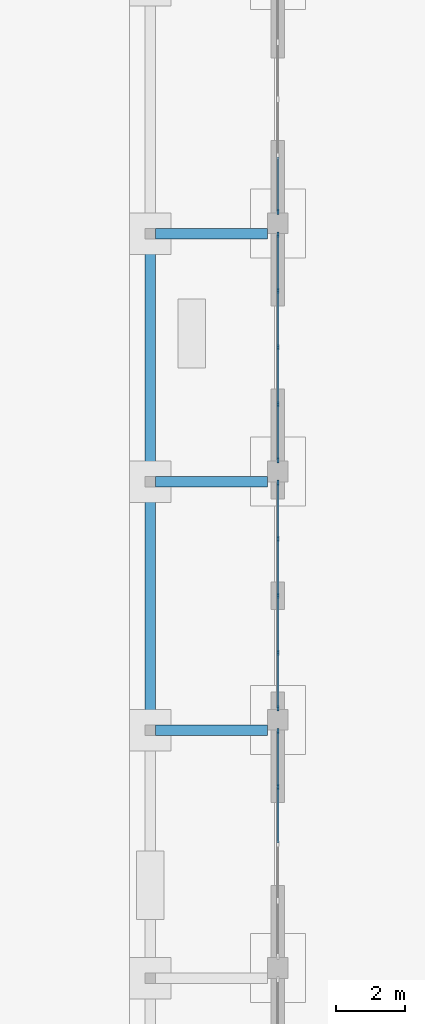
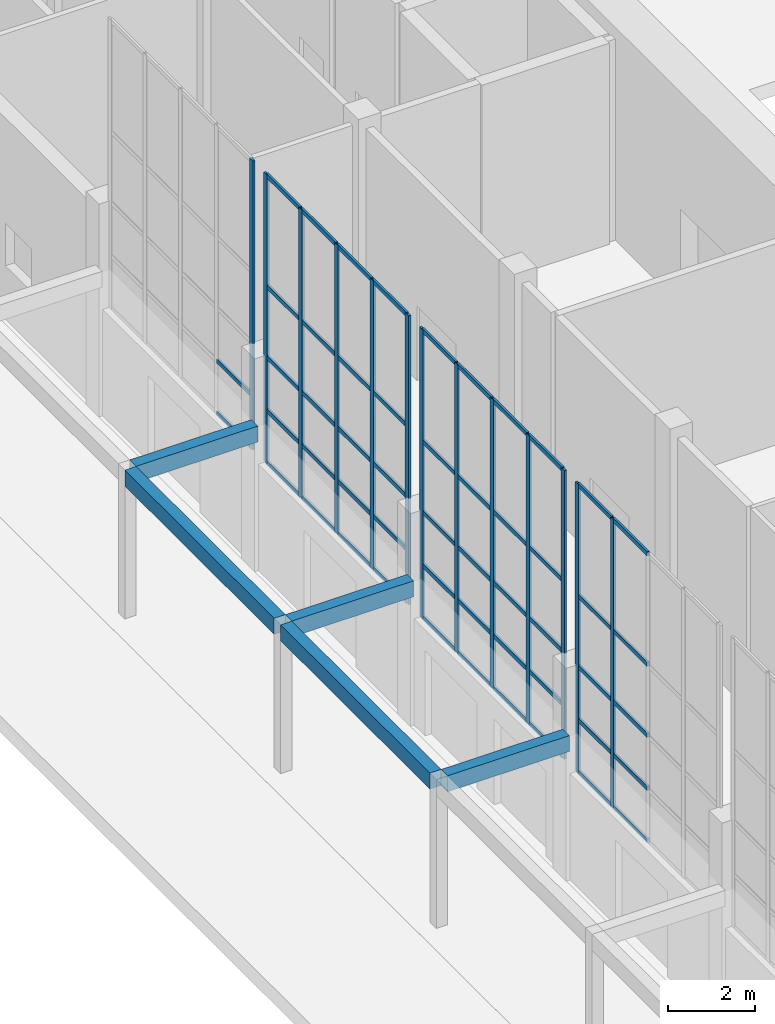
# One storey, part 10 of 70: 65 members, 5 beams, 4 elements without a shape of their own.
"""IFC4 building model written with IfcOpenShell, lengths in metres."""

from ifc_helpers import new_model, si_unit, direction, frame, origin, origin_2d, place, context, subcontext, project, spatial, rectangle, extrude, material, material_profile, profile_set, type_object, element, aggregate, save


model = new_model("IFC4")

# Units and contexts
model_context = context("Model", 3, precision=1e-05, world=origin(), true_north=direction((0.0, 1.0)))
body_context = subcontext(model_context, "Body", "Model", "MODEL_VIEW")
ifc_project = project(units=[si_unit("LENGTHUNIT", "METRE"), si_unit("AREAUNIT", "SQUARE_METRE"), si_unit("VOLUMEUNIT", "CUBIC_METRE"), si_unit("PLANEANGLEUNIT", "RADIAN"), si_unit("MASSUNIT", "GRAM", prefix="KILO")], contexts=[model_context])

# Site, building, storey
site_placement = place(None, origin())
site = spatial("IfcSite", under=ifc_project, at=site_placement, CompositionType="ELEMENT")
building_placement = place(site_placement, origin())
building = spatial("IfcBuilding", under=site, at=building_placement, Name="Vermilion Court Aquatics Centre", CompositionType="ELEMENT")
storey_placement = place(building_placement, origin())
storey = spatial("IfcBuildingStorey", under=building, at=storey_placement, Name="L00", CompositionType="ELEMENT", Elevation=0.0)

# Beams
ifc_material_1 = material(Name="Concrete 5000 psi", Category="concrete")
ifc_material_profile_1 = material_profile(ifc_material_1, rectangle(XDim=0.300048828125, YDim=0.449951171875, at=origin_2d()), Name="RC 300x450")
ifc_profile_set_1 = profile_set([ifc_material_profile_1], Name="Concrete 5000 psi")
beam_type = type_object("IfcBeamType", Name="Foyer canopy beam RC 300x450", PredefinedType="BEAM", material=ifc_profile_set_1)
for number, where, z_axis, x_axis, name in (
    (1, (-3.25, 28.5, 3.97509765625), (1.0, 0.0, 0.0), (0.0, 1.0, 0.0), "Foyer canopy beam"),
    (2, (-3.25, 35.699951171875, 3.97509765625), (1.0, 0.0, 0.0), (0.0, 1.0, 0.0), "Foyer canopy beam"),
    (3, (-3.25, 42.89990234375, 3.97509765625), (1.0, 0.0, 0.0), (0.0, 1.0, 0.0), "Foyer canopy beam"),
):
    element("IfcBeam", number, at=place(storey_placement, frame(where, z_axis=z_axis, x_axis=x_axis)), inside=storey, type_object=beam_type, Name=name, PredefinedType="BEAM", context=body_context, shape_type="SweptSolid", body=[
        extrude(rectangle(XDim=0.300048828125, YDim=0.449951171875, at=origin_2d()), origin(), (0.0, 0.0, 1.0), 3.25),
    ])
beam_1_placement = place(storey_placement, frame((-3.39990234375, 28.64990234375, 3.97509765625), z_axis=(0.0, 1.0, 0.0), x_axis=(-1.0, 0.0, 0.0)))
element("IfcBeam", 4, at=beam_1_placement, inside=storey, type_object=beam_type, Name="Foyer canopy edge beam", PredefinedType="BEAM", context=body_context, shape_type="SweptSolid", body=[
    extrude(rectangle(XDim=0.300048828125, YDim=0.449951171875, at=origin_2d()), origin(), (0.0, 0.0, 1.0), 6.900146484375),
])
beam_2_placement = place(storey_placement, frame((-3.39990234375, 35.85009765625, 3.97509765625), z_axis=(0.0, 1.0, 0.0), x_axis=(-1.0, 0.0, 0.0)))
element("IfcBeam", 5, at=beam_2_placement, inside=storey, type_object=beam_type, Name="Foyer canopy edge beam", PredefinedType="BEAM", context=body_context, shape_type="SweptSolid", body=[
    extrude(rectangle(XDim=0.300048828125, YDim=0.449951171875, at=origin_2d()), origin(), (0.0, 0.0, 1.0), 6.89990234375),
])

# Curtain wall, members
ifc_material_2 = material(Name="Aluminium 6063-T5", Category="aluminium")
curtain_wall_type = type_object("IfcCurtainWallType", Name="Foyer curtain wall", PredefinedType="NOTDEFINED", material=ifc_material_2)
curtain_wall_1_placement = place(storey_placement, origin())
curtain_wall_1 = element("IfcCurtainWall", 6, at=curtain_wall_1_placement, inside=storey, type_object=curtain_wall_type, Name="Foyer curtain wall 4", PredefinedType="NOTDEFINED")
ifc_material_3 = material(Name="Aluminium 6063-T5", Category="aluminium")
ifc_material_profile_2 = material_profile(ifc_material_3, rectangle(XDim=0.06005859375, YDim=0.159912109375, at=origin_2d()), Name="Aluminium 60x160")
ifc_profile_set_2 = profile_set([ifc_material_profile_2], Name="Aluminium 6063-T5")
member_type_1 = type_object("IfcMemberType", Name="Foyer mullion 60x160", PredefinedType="MULLION", material=ifc_profile_set_2)
member_1_placement = place(storey_placement, frame((0.300048828125, 26.85009765625, 3.0), z_axis=(0.0, 0.0, 1.0), x_axis=(-1.0, 0.0, 0.0)))
member_1 = element("IfcMember", 7, at=member_1_placement, type_object=member_type_1, Name="FCW1 mullion 4", PredefinedType="MULLION", context=body_context, shape_type="SweptSolid", body=[
    extrude(rectangle(XDim=0.06005859375, YDim=0.159912109375, at=origin_2d()), origin(), (0.0, 0.0, 1.0), 8.14990234375),
])
member_2_placement = place(storey_placement, frame((0.300048828125, 28.469970703125, 3.0), z_axis=(0.0, 0.0, 1.0), x_axis=(-1.0, 0.0, 0.0)))
member_2 = element("IfcMember", 8, at=member_2_placement, type_object=member_type_1, Name="FCW1 mullion 5", PredefinedType="MULLION", context=body_context, shape_type="SweptSolid", body=[
    extrude(rectangle(XDim=0.06005859375, YDim=0.159912109375, at=origin_2d()), origin(), (0.0, 0.0, 1.0), 8.14990234375),
])

curtain_wall_2_placement = place(storey_placement, origin())
curtain_wall_2 = element("IfcCurtainWall", 9, at=curtain_wall_2_placement, inside=storey, type_object=curtain_wall_type, Name="Foyer curtain wall 5", PredefinedType="NOTDEFINED")
member_3_placement = place(storey_placement, frame((0.300048828125, 29.1298828125, 3.0), z_axis=(0.0, 0.0, 1.0), x_axis=(-1.0, 0.0, 0.0)))
member_3 = element("IfcMember", 10, at=member_3_placement, type_object=member_type_1, Name="FCW1 mullion 1", PredefinedType="MULLION", context=body_context, shape_type="SweptSolid", body=[
    extrude(rectangle(XDim=0.06005859375, YDim=0.159912109375, at=origin_2d()), origin(), (0.0, 0.0, 1.0), 8.14990234375),
])
member_4_placement = place(storey_placement, frame((0.300048828125, 30.75, 3.0), z_axis=(0.0, 0.0, 1.0), x_axis=(-1.0, 0.0, 0.0)))
member_4 = element("IfcMember", 11, at=member_4_placement, type_object=member_type_1, Name="FCW1 mullion 2", PredefinedType="MULLION", context=body_context, shape_type="SweptSolid", body=[
    extrude(rectangle(XDim=0.06005859375, YDim=0.159912109375, at=origin_2d()), origin(), (0.0, 0.0, 1.0), 8.14990234375),
])
member_5_placement = place(storey_placement, frame((0.300048828125, 32.39990234375, 3.0), z_axis=(0.0, 0.0, 1.0), x_axis=(-1.0, 0.0, 0.0)))
member_5 = element("IfcMember", 12, at=member_5_placement, type_object=member_type_1, Name="FCW1 mullion 3", PredefinedType="MULLION", context=body_context, shape_type="SweptSolid", body=[
    extrude(rectangle(XDim=0.06005859375, YDim=0.159912109375, at=origin_2d()), origin(), (0.0, 0.0, 1.0), 8.14990234375),
])
member_6_placement = place(storey_placement, frame((0.300048828125, 34.050048828125, 3.0), z_axis=(0.0, 0.0, 1.0), x_axis=(-1.0, 0.0, 0.0)))
member_6 = element("IfcMember", 13, at=member_6_placement, type_object=member_type_1, Name="FCW1 mullion 4", PredefinedType="MULLION", context=body_context, shape_type="SweptSolid", body=[
    extrude(rectangle(XDim=0.06005859375, YDim=0.159912109375, at=origin_2d()), origin(), (0.0, 0.0, 1.0), 8.14990234375),
])
member_7_placement = place(storey_placement, frame((0.300048828125, 35.669921875, 3.0), z_axis=(0.0, 0.0, 1.0), x_axis=(-1.0, 0.0, 0.0)))
member_7 = element("IfcMember", 14, at=member_7_placement, type_object=member_type_1, Name="FCW1 mullion 5", PredefinedType="MULLION", context=body_context, shape_type="SweptSolid", body=[
    extrude(rectangle(XDim=0.06005859375, YDim=0.159912109375, at=origin_2d()), origin(), (0.0, 0.0, 1.0), 8.14990234375),
])

curtain_wall_3_placement = place(storey_placement, origin())
curtain_wall_3 = element("IfcCurtainWall", 15, at=curtain_wall_3_placement, inside=storey, type_object=curtain_wall_type, Name="Foyer curtain wall 6", PredefinedType="NOTDEFINED")
member_8_placement = place(storey_placement, frame((0.300048828125, 36.330078125, 3.0), z_axis=(0.0, 0.0, 1.0), x_axis=(-1.0, 0.0, 0.0)))
member_8 = element("IfcMember", 16, at=member_8_placement, type_object=member_type_1, Name="FCW1 mullion 1", PredefinedType="MULLION", context=body_context, shape_type="SweptSolid", body=[
    extrude(rectangle(XDim=0.06005859375, YDim=0.159912109375, at=origin_2d()), origin(), (0.0, 0.0, 1.0), 8.14990234375),
])
member_9_placement = place(storey_placement, frame((0.300048828125, 37.949951171875, 3.0), z_axis=(0.0, 0.0, 1.0), x_axis=(-1.0, 0.0, 0.0)))
member_9 = element("IfcMember", 17, at=member_9_placement, type_object=member_type_1, Name="FCW1 mullion 2", PredefinedType="MULLION", context=body_context, shape_type="SweptSolid", body=[
    extrude(rectangle(XDim=0.06005859375, YDim=0.159912109375, at=origin_2d()), origin(), (0.0, 0.0, 1.0), 8.14990234375),
])
member_10_placement = place(storey_placement, frame((0.300048828125, 39.60009765625, 3.0), z_axis=(0.0, 0.0, 1.0), x_axis=(-1.0, 0.0, 0.0)))
member_10 = element("IfcMember", 18, at=member_10_placement, type_object=member_type_1, Name="FCW1 mullion 3", PredefinedType="MULLION", context=body_context, shape_type="SweptSolid", body=[
    extrude(rectangle(XDim=0.06005859375, YDim=0.159912109375, at=origin_2d()), origin(), (0.0, 0.0, 1.0), 8.14990234375),
])
member_11_placement = place(storey_placement, frame((0.300048828125, 41.25, 3.0), z_axis=(0.0, 0.0, 1.0), x_axis=(-1.0, 0.0, 0.0)))
member_11 = element("IfcMember", 19, at=member_11_placement, type_object=member_type_1, Name="FCW1 mullion 4", PredefinedType="MULLION", context=body_context, shape_type="SweptSolid", body=[
    extrude(rectangle(XDim=0.06005859375, YDim=0.159912109375, at=origin_2d()), origin(), (0.0, 0.0, 1.0), 8.14990234375),
])
member_12_placement = place(storey_placement, frame((0.300048828125, 42.8701171875, 3.0), z_axis=(0.0, 0.0, 1.0), x_axis=(-1.0, 0.0, 0.0)))
member_12 = element("IfcMember", 20, at=member_12_placement, type_object=member_type_1, Name="FCW1 mullion 5", PredefinedType="MULLION", context=body_context, shape_type="SweptSolid", body=[
    extrude(rectangle(XDim=0.06005859375, YDim=0.159912109375, at=origin_2d()), origin(), (0.0, 0.0, 1.0), 8.14990234375),
])

# Curtain wall, member
curtain_wall_4_placement = place(storey_placement, origin())
curtain_wall_4 = element("IfcCurtainWall", 21, at=curtain_wall_4_placement, inside=storey, type_object=curtain_wall_type, Name="Foyer curtain wall 7", PredefinedType="NOTDEFINED")
member_13_placement = place(storey_placement, frame((0.300048828125, 43.530029296875, 3.0), z_axis=(0.0, 0.0, 1.0), x_axis=(-1.0, 0.0, 0.0)))
member_13 = element("IfcMember", 22, at=member_13_placement, type_object=member_type_1, Name="FCW1 mullion 1", PredefinedType="MULLION", context=body_context, shape_type="SweptSolid", body=[
    extrude(rectangle(XDim=0.06005859375, YDim=0.159912109375, at=origin_2d()), origin(), (0.0, 0.0, 1.0), 8.14990234375),
])

# Member
ifc_material_4 = material(Name="Aluminium 6063-T5", Category="aluminium")
ifc_material_profile_3 = material_profile(ifc_material_4, rectangle(XDim=0.06005859375, YDim=0.1201171875, at=origin_2d()), Name="Aluminium 60x120")
ifc_profile_set_3 = profile_set([ifc_material_profile_3], Name="Aluminium 6063-T5")
member_type_2 = type_object("IfcMemberType", Name="Foyer transom 60x120", PredefinedType="USERDEFINED", material=ifc_profile_set_3)
member_14_placement = place(storey_placement, frame((0.300048828125, 25.22998046875, 3.030029296875), z_axis=(0.0, 1.0, 0.0), x_axis=(-1.0, 0.0, 0.0)))
member_14 = element("IfcMember", 23, at=member_14_placement, type_object=member_type_2, Name="FCW1 transom 3.1", ObjectType="TRANSOM", PredefinedType="USERDEFINED", context=body_context, shape_type="SweptSolid", body=[
    extrude(rectangle(XDim=0.06005859375, YDim=0.1201171875, at=origin_2d()), origin(), (0.0, 0.0, 1.0), 1.590087890625),
])

member_15_placement = place(storey_placement, frame((0.300048828125, 25.22998046875, 4.5), z_axis=(0.0, 1.0, 0.0), x_axis=(-1.0, 0.0, 0.0)))
member_15 = element("IfcMember", 24, at=member_15_placement, type_object=member_type_2, Name="FCW1 transom 3.2", ObjectType="TRANSOM", PredefinedType="USERDEFINED", context=body_context, shape_type="SweptSolid", body=[
    extrude(rectangle(XDim=0.06005859375, YDim=0.1201171875, at=origin_2d()), origin(), (0.0, 0.0, 1.0), 1.590087890625),
])

member_16_placement = place(storey_placement, frame((0.300048828125, 25.22998046875, 6.0), z_axis=(0.0, 1.0, 0.0), x_axis=(-1.0, 0.0, 0.0)))
member_16 = element("IfcMember", 25, at=member_16_placement, type_object=member_type_2, Name="FCW1 transom 3.3", ObjectType="TRANSOM", PredefinedType="USERDEFINED", context=body_context, shape_type="SweptSolid", body=[
    extrude(rectangle(XDim=0.06005859375, YDim=0.1201171875, at=origin_2d()), origin(), (0.0, 0.0, 1.0), 1.590087890625),
])

member_17_placement = place(storey_placement, frame((0.300048828125, 25.22998046875, 8.0), z_axis=(0.0, 1.0, 0.0), x_axis=(-1.0, 0.0, 0.0)))
member_17 = element("IfcMember", 26, at=member_17_placement, type_object=member_type_2, Name="FCW1 transom 3.4", ObjectType="TRANSOM", PredefinedType="USERDEFINED", context=body_context, shape_type="SweptSolid", body=[
    extrude(rectangle(XDim=0.06005859375, YDim=0.1201171875, at=origin_2d()), origin(), (0.0, 0.0, 1.0), 1.590087890625),
])

member_18_placement = place(storey_placement, frame((0.300048828125, 25.22998046875, 11.1201171875), z_axis=(0.0, 1.0, 0.0), x_axis=(-1.0, 0.0, 0.0)))
member_18 = element("IfcMember", 27, at=member_18_placement, type_object=member_type_2, Name="FCW1 transom 3.5", ObjectType="TRANSOM", PredefinedType="USERDEFINED", context=body_context, shape_type="SweptSolid", body=[
    extrude(rectangle(XDim=0.06005859375, YDim=0.1201171875, at=origin_2d()), origin(), (0.0, 0.0, 1.0), 1.590087890625),
])

member_19_placement = place(storey_placement, frame((0.300048828125, 26.8798828125, 3.030029296875), z_axis=(0.0, 1.0, 0.0), x_axis=(-1.0, 0.0, 0.0)))
member_19 = element("IfcMember", 28, at=member_19_placement, type_object=member_type_2, Name="FCW1 transom 4.1", ObjectType="TRANSOM", PredefinedType="USERDEFINED", context=body_context, shape_type="SweptSolid", body=[
    extrude(rectangle(XDim=0.06005859375, YDim=0.1201171875, at=origin_2d()), origin(), (0.0, 0.0, 1.0), 1.56005859375),
])

member_20_placement = place(storey_placement, frame((0.300048828125, 26.8798828125, 4.5), z_axis=(0.0, 1.0, 0.0), x_axis=(-1.0, 0.0, 0.0)))
member_20 = element("IfcMember", 29, at=member_20_placement, type_object=member_type_2, Name="FCW1 transom 4.2", ObjectType="TRANSOM", PredefinedType="USERDEFINED", context=body_context, shape_type="SweptSolid", body=[
    extrude(rectangle(XDim=0.06005859375, YDim=0.1201171875, at=origin_2d()), origin(), (0.0, 0.0, 1.0), 1.56005859375),
])

member_21_placement = place(storey_placement, frame((0.300048828125, 26.8798828125, 6.0), z_axis=(0.0, 1.0, 0.0), x_axis=(-1.0, 0.0, 0.0)))
member_21 = element("IfcMember", 30, at=member_21_placement, type_object=member_type_2, Name="FCW1 transom 4.3", ObjectType="TRANSOM", PredefinedType="USERDEFINED", context=body_context, shape_type="SweptSolid", body=[
    extrude(rectangle(XDim=0.06005859375, YDim=0.1201171875, at=origin_2d()), origin(), (0.0, 0.0, 1.0), 1.56005859375),
])

member_22_placement = place(storey_placement, frame((0.300048828125, 26.8798828125, 8.0), z_axis=(0.0, 1.0, 0.0), x_axis=(-1.0, 0.0, 0.0)))
member_22 = element("IfcMember", 31, at=member_22_placement, type_object=member_type_2, Name="FCW1 transom 4.4", ObjectType="TRANSOM", PredefinedType="USERDEFINED", context=body_context, shape_type="SweptSolid", body=[
    extrude(rectangle(XDim=0.06005859375, YDim=0.1201171875, at=origin_2d()), origin(), (0.0, 0.0, 1.0), 1.56005859375),
])

member_23_placement = place(storey_placement, frame((0.300048828125, 26.8798828125, 11.1201171875), z_axis=(0.0, 1.0, 0.0), x_axis=(-1.0, 0.0, 0.0)))
member_23 = element("IfcMember", 32, at=member_23_placement, type_object=member_type_2, Name="FCW1 transom 4.5", ObjectType="TRANSOM", PredefinedType="USERDEFINED", context=body_context, shape_type="SweptSolid", body=[
    extrude(rectangle(XDim=0.06005859375, YDim=0.1201171875, at=origin_2d()), origin(), (0.0, 0.0, 1.0), 1.56005859375),
])

aggregate(curtain_wall_1, [member_1, member_2, member_14, member_15, member_16, member_17, member_18, member_19, member_20, member_21, member_22, member_23])

member_24_placement = place(storey_placement, frame((0.300048828125, 29.159912109375, 3.030029296875), z_axis=(0.0, 1.0, 0.0), x_axis=(-1.0, 0.0, 0.0)))
member_24 = element("IfcMember", 33, at=member_24_placement, type_object=member_type_2, Name="FCW1 transom 1.1", ObjectType="TRANSOM", PredefinedType="USERDEFINED", context=body_context, shape_type="SweptSolid", body=[
    extrude(rectangle(XDim=0.06005859375, YDim=0.1201171875, at=origin_2d()), origin(), (0.0, 0.0, 1.0), 1.56005859375),
])

member_25_placement = place(storey_placement, frame((0.300048828125, 29.159912109375, 4.5), z_axis=(0.0, 1.0, 0.0), x_axis=(-1.0, 0.0, 0.0)))
member_25 = element("IfcMember", 34, at=member_25_placement, type_object=member_type_2, Name="FCW1 transom 1.2", ObjectType="TRANSOM", PredefinedType="USERDEFINED", context=body_context, shape_type="SweptSolid", body=[
    extrude(rectangle(XDim=0.06005859375, YDim=0.1201171875, at=origin_2d()), origin(), (0.0, 0.0, 1.0), 1.56005859375),
])

member_26_placement = place(storey_placement, frame((0.300048828125, 29.159912109375, 6.0), z_axis=(0.0, 1.0, 0.0), x_axis=(-1.0, 0.0, 0.0)))
member_26 = element("IfcMember", 35, at=member_26_placement, type_object=member_type_2, Name="FCW1 transom 1.3", ObjectType="TRANSOM", PredefinedType="USERDEFINED", context=body_context, shape_type="SweptSolid", body=[
    extrude(rectangle(XDim=0.06005859375, YDim=0.1201171875, at=origin_2d()), origin(), (0.0, 0.0, 1.0), 1.56005859375),
])

member_27_placement = place(storey_placement, frame((0.300048828125, 29.159912109375, 8.0), z_axis=(0.0, 1.0, 0.0), x_axis=(-1.0, 0.0, 0.0)))
member_27 = element("IfcMember", 36, at=member_27_placement, type_object=member_type_2, Name="FCW1 transom 1.4", ObjectType="TRANSOM", PredefinedType="USERDEFINED", context=body_context, shape_type="SweptSolid", body=[
    extrude(rectangle(XDim=0.06005859375, YDim=0.1201171875, at=origin_2d()), origin(), (0.0, 0.0, 1.0), 1.56005859375),
])

member_28_placement = place(storey_placement, frame((0.300048828125, 29.159912109375, 11.1201171875), z_axis=(0.0, 1.0, 0.0), x_axis=(-1.0, 0.0, 0.0)))
member_28 = element("IfcMember", 37, at=member_28_placement, type_object=member_type_2, Name="FCW1 transom 1.5", ObjectType="TRANSOM", PredefinedType="USERDEFINED", context=body_context, shape_type="SweptSolid", body=[
    extrude(rectangle(XDim=0.06005859375, YDim=0.1201171875, at=origin_2d()), origin(), (0.0, 0.0, 1.0), 1.56005859375),
])

member_29_placement = place(storey_placement, frame((0.300048828125, 30.780029296875, 3.030029296875), z_axis=(0.0, 1.0, 0.0), x_axis=(-1.0, 0.0, 0.0)))
member_29 = element("IfcMember", 38, at=member_29_placement, type_object=member_type_2, Name="FCW1 transom 2.1", ObjectType="TRANSOM", PredefinedType="USERDEFINED", context=body_context, shape_type="SweptSolid", body=[
    extrude(rectangle(XDim=0.06005859375, YDim=0.1201171875, at=origin_2d()), origin(), (0.0, 0.0, 1.0), 1.590087890625),
])

member_30_placement = place(storey_placement, frame((0.300048828125, 30.780029296875, 4.5), z_axis=(0.0, 1.0, 0.0), x_axis=(-1.0, 0.0, 0.0)))
member_30 = element("IfcMember", 39, at=member_30_placement, type_object=member_type_2, Name="FCW1 transom 2.2", ObjectType="TRANSOM", PredefinedType="USERDEFINED", context=body_context, shape_type="SweptSolid", body=[
    extrude(rectangle(XDim=0.06005859375, YDim=0.1201171875, at=origin_2d()), origin(), (0.0, 0.0, 1.0), 1.590087890625),
])

member_31_placement = place(storey_placement, frame((0.300048828125, 30.780029296875, 6.0), z_axis=(0.0, 1.0, 0.0), x_axis=(-1.0, 0.0, 0.0)))
member_31 = element("IfcMember", 40, at=member_31_placement, type_object=member_type_2, Name="FCW1 transom 2.3", ObjectType="TRANSOM", PredefinedType="USERDEFINED", context=body_context, shape_type="SweptSolid", body=[
    extrude(rectangle(XDim=0.06005859375, YDim=0.1201171875, at=origin_2d()), origin(), (0.0, 0.0, 1.0), 1.590087890625),
])

member_32_placement = place(storey_placement, frame((0.300048828125, 30.780029296875, 8.0), z_axis=(0.0, 1.0, 0.0), x_axis=(-1.0, 0.0, 0.0)))
member_32 = element("IfcMember", 41, at=member_32_placement, type_object=member_type_2, Name="FCW1 transom 2.4", ObjectType="TRANSOM", PredefinedType="USERDEFINED", context=body_context, shape_type="SweptSolid", body=[
    extrude(rectangle(XDim=0.06005859375, YDim=0.1201171875, at=origin_2d()), origin(), (0.0, 0.0, 1.0), 1.590087890625),
])

member_33_placement = place(storey_placement, frame((0.300048828125, 30.780029296875, 11.1201171875), z_axis=(0.0, 1.0, 0.0), x_axis=(-1.0, 0.0, 0.0)))
member_33 = element("IfcMember", 42, at=member_33_placement, type_object=member_type_2, Name="FCW1 transom 2.5", ObjectType="TRANSOM", PredefinedType="USERDEFINED", context=body_context, shape_type="SweptSolid", body=[
    extrude(rectangle(XDim=0.06005859375, YDim=0.1201171875, at=origin_2d()), origin(), (0.0, 0.0, 1.0), 1.590087890625),
])

member_34_placement = place(storey_placement, frame((0.300048828125, 32.429931640625, 3.030029296875), z_axis=(0.0, 1.0, 0.0), x_axis=(-1.0, 0.0, 0.0)))
member_34 = element("IfcMember", 43, at=member_34_placement, type_object=member_type_2, Name="FCW1 transom 3.1", ObjectType="TRANSOM", PredefinedType="USERDEFINED", context=body_context, shape_type="SweptSolid", body=[
    extrude(rectangle(XDim=0.06005859375, YDim=0.1201171875, at=origin_2d()), origin(), (0.0, 0.0, 1.0), 1.590087890625),
])

member_35_placement = place(storey_placement, frame((0.300048828125, 32.429931640625, 4.5), z_axis=(0.0, 1.0, 0.0), x_axis=(-1.0, 0.0, 0.0)))
member_35 = element("IfcMember", 44, at=member_35_placement, type_object=member_type_2, Name="FCW1 transom 3.2", ObjectType="TRANSOM", PredefinedType="USERDEFINED", context=body_context, shape_type="SweptSolid", body=[
    extrude(rectangle(XDim=0.06005859375, YDim=0.1201171875, at=origin_2d()), origin(), (0.0, 0.0, 1.0), 1.590087890625),
])

member_36_placement = place(storey_placement, frame((0.300048828125, 32.429931640625, 6.0), z_axis=(0.0, 1.0, 0.0), x_axis=(-1.0, 0.0, 0.0)))
member_36 = element("IfcMember", 45, at=member_36_placement, type_object=member_type_2, Name="FCW1 transom 3.3", ObjectType="TRANSOM", PredefinedType="USERDEFINED", context=body_context, shape_type="SweptSolid", body=[
    extrude(rectangle(XDim=0.06005859375, YDim=0.1201171875, at=origin_2d()), origin(), (0.0, 0.0, 1.0), 1.590087890625),
])

member_37_placement = place(storey_placement, frame((0.300048828125, 32.429931640625, 8.0), z_axis=(0.0, 1.0, 0.0), x_axis=(-1.0, 0.0, 0.0)))
member_37 = element("IfcMember", 46, at=member_37_placement, type_object=member_type_2, Name="FCW1 transom 3.4", ObjectType="TRANSOM", PredefinedType="USERDEFINED", context=body_context, shape_type="SweptSolid", body=[
    extrude(rectangle(XDim=0.06005859375, YDim=0.1201171875, at=origin_2d()), origin(), (0.0, 0.0, 1.0), 1.590087890625),
])

member_38_placement = place(storey_placement, frame((0.300048828125, 32.429931640625, 11.1201171875), z_axis=(0.0, 1.0, 0.0), x_axis=(-1.0, 0.0, 0.0)))
member_38 = element("IfcMember", 47, at=member_38_placement, type_object=member_type_2, Name="FCW1 transom 3.5", ObjectType="TRANSOM", PredefinedType="USERDEFINED", context=body_context, shape_type="SweptSolid", body=[
    extrude(rectangle(XDim=0.06005859375, YDim=0.1201171875, at=origin_2d()), origin(), (0.0, 0.0, 1.0), 1.590087890625),
])

member_39_placement = place(storey_placement, frame((0.300048828125, 34.080078125, 3.030029296875), z_axis=(0.0, 1.0, 0.0), x_axis=(-1.0, 0.0, 0.0)))
member_39 = element("IfcMember", 48, at=member_39_placement, type_object=member_type_2, Name="FCW1 transom 4.1", ObjectType="TRANSOM", PredefinedType="USERDEFINED", context=body_context, shape_type="SweptSolid", body=[
    extrude(rectangle(XDim=0.06005859375, YDim=0.1201171875, at=origin_2d()), origin(), (0.0, 0.0, 1.0), 1.559814453125),
])

member_40_placement = place(storey_placement, frame((0.300048828125, 34.080078125, 4.5), z_axis=(0.0, 1.0, 0.0), x_axis=(-1.0, 0.0, 0.0)))
member_40 = element("IfcMember", 49, at=member_40_placement, type_object=member_type_2, Name="FCW1 transom 4.2", ObjectType="TRANSOM", PredefinedType="USERDEFINED", context=body_context, shape_type="SweptSolid", body=[
    extrude(rectangle(XDim=0.06005859375, YDim=0.1201171875, at=origin_2d()), origin(), (0.0, 0.0, 1.0), 1.559814453125),
])

member_41_placement = place(storey_placement, frame((0.300048828125, 34.080078125, 6.0), z_axis=(0.0, 1.0, 0.0), x_axis=(-1.0, 0.0, 0.0)))
member_41 = element("IfcMember", 50, at=member_41_placement, type_object=member_type_2, Name="FCW1 transom 4.3", ObjectType="TRANSOM", PredefinedType="USERDEFINED", context=body_context, shape_type="SweptSolid", body=[
    extrude(rectangle(XDim=0.06005859375, YDim=0.1201171875, at=origin_2d()), origin(), (0.0, 0.0, 1.0), 1.559814453125),
])

member_42_placement = place(storey_placement, frame((0.300048828125, 34.080078125, 8.0), z_axis=(0.0, 1.0, 0.0), x_axis=(-1.0, 0.0, 0.0)))
member_42 = element("IfcMember", 51, at=member_42_placement, type_object=member_type_2, Name="FCW1 transom 4.4", ObjectType="TRANSOM", PredefinedType="USERDEFINED", context=body_context, shape_type="SweptSolid", body=[
    extrude(rectangle(XDim=0.06005859375, YDim=0.1201171875, at=origin_2d()), origin(), (0.0, 0.0, 1.0), 1.559814453125),
])

member_43_placement = place(storey_placement, frame((0.300048828125, 34.080078125, 11.1201171875), z_axis=(0.0, 1.0, 0.0), x_axis=(-1.0, 0.0, 0.0)))
member_43 = element("IfcMember", 52, at=member_43_placement, type_object=member_type_2, Name="FCW1 transom 4.5", ObjectType="TRANSOM", PredefinedType="USERDEFINED", context=body_context, shape_type="SweptSolid", body=[
    extrude(rectangle(XDim=0.06005859375, YDim=0.1201171875, at=origin_2d()), origin(), (0.0, 0.0, 1.0), 1.559814453125),
])

aggregate(curtain_wall_2, [member_3, member_4, member_5, member_6, member_7, member_24, member_25, member_26, member_27, member_28, member_29, member_30, member_31, member_32, member_33, member_34, member_35, member_36, member_37, member_38, member_39, member_40, member_41, member_42, member_43])

member_44_placement = place(storey_placement, frame((0.300048828125, 36.360107421875, 3.030029296875), z_axis=(0.0, 1.0, 0.0), x_axis=(-1.0, 0.0, 0.0)))
member_44 = element("IfcMember", 53, at=member_44_placement, type_object=member_type_2, Name="FCW1 transom 1.1", ObjectType="TRANSOM", PredefinedType="USERDEFINED", context=body_context, shape_type="SweptSolid", body=[
    extrude(rectangle(XDim=0.06005859375, YDim=0.1201171875, at=origin_2d()), origin(), (0.0, 0.0, 1.0), 1.559814453125),
])

member_45_placement = place(storey_placement, frame((0.300048828125, 36.360107421875, 4.5), z_axis=(0.0, 1.0, 0.0), x_axis=(-1.0, 0.0, 0.0)))
member_45 = element("IfcMember", 54, at=member_45_placement, type_object=member_type_2, Name="FCW1 transom 1.2", ObjectType="TRANSOM", PredefinedType="USERDEFINED", context=body_context, shape_type="SweptSolid", body=[
    extrude(rectangle(XDim=0.06005859375, YDim=0.1201171875, at=origin_2d()), origin(), (0.0, 0.0, 1.0), 1.559814453125),
])

member_46_placement = place(storey_placement, frame((0.300048828125, 36.360107421875, 6.0), z_axis=(0.0, 1.0, 0.0), x_axis=(-1.0, 0.0, 0.0)))
member_46 = element("IfcMember", 55, at=member_46_placement, type_object=member_type_2, Name="FCW1 transom 1.3", ObjectType="TRANSOM", PredefinedType="USERDEFINED", context=body_context, shape_type="SweptSolid", body=[
    extrude(rectangle(XDim=0.06005859375, YDim=0.1201171875, at=origin_2d()), origin(), (0.0, 0.0, 1.0), 1.559814453125),
])

member_47_placement = place(storey_placement, frame((0.300048828125, 36.360107421875, 8.0), z_axis=(0.0, 1.0, 0.0), x_axis=(-1.0, 0.0, 0.0)))
member_47 = element("IfcMember", 56, at=member_47_placement, type_object=member_type_2, Name="FCW1 transom 1.4", ObjectType="TRANSOM", PredefinedType="USERDEFINED", context=body_context, shape_type="SweptSolid", body=[
    extrude(rectangle(XDim=0.06005859375, YDim=0.1201171875, at=origin_2d()), origin(), (0.0, 0.0, 1.0), 1.559814453125),
])

member_48_placement = place(storey_placement, frame((0.300048828125, 36.360107421875, 11.1201171875), z_axis=(0.0, 1.0, 0.0), x_axis=(-1.0, 0.0, 0.0)))
member_48 = element("IfcMember", 57, at=member_48_placement, type_object=member_type_2, Name="FCW1 transom 1.5", ObjectType="TRANSOM", PredefinedType="USERDEFINED", context=body_context, shape_type="SweptSolid", body=[
    extrude(rectangle(XDim=0.06005859375, YDim=0.1201171875, at=origin_2d()), origin(), (0.0, 0.0, 1.0), 1.559814453125),
])

member_49_placement = place(storey_placement, frame((0.300048828125, 37.97998046875, 3.030029296875), z_axis=(0.0, 1.0, 0.0), x_axis=(-1.0, 0.0, 0.0)))
member_49 = element("IfcMember", 58, at=member_49_placement, type_object=member_type_2, Name="FCW1 transom 2.1", ObjectType="TRANSOM", PredefinedType="USERDEFINED", context=body_context, shape_type="SweptSolid", body=[
    extrude(rectangle(XDim=0.06005859375, YDim=0.1201171875, at=origin_2d()), origin(), (0.0, 0.0, 1.0), 1.590087890625),
])

member_50_placement = place(storey_placement, frame((0.300048828125, 37.97998046875, 4.5), z_axis=(0.0, 1.0, 0.0), x_axis=(-1.0, 0.0, 0.0)))
member_50 = element("IfcMember", 59, at=member_50_placement, type_object=member_type_2, Name="FCW1 transom 2.2", ObjectType="TRANSOM", PredefinedType="USERDEFINED", context=body_context, shape_type="SweptSolid", body=[
    extrude(rectangle(XDim=0.06005859375, YDim=0.1201171875, at=origin_2d()), origin(), (0.0, 0.0, 1.0), 1.590087890625),
])

member_51_placement = place(storey_placement, frame((0.300048828125, 37.97998046875, 6.0), z_axis=(0.0, 1.0, 0.0), x_axis=(-1.0, 0.0, 0.0)))
member_51 = element("IfcMember", 60, at=member_51_placement, type_object=member_type_2, Name="FCW1 transom 2.3", ObjectType="TRANSOM", PredefinedType="USERDEFINED", context=body_context, shape_type="SweptSolid", body=[
    extrude(rectangle(XDim=0.06005859375, YDim=0.1201171875, at=origin_2d()), origin(), (0.0, 0.0, 1.0), 1.590087890625),
])

member_52_placement = place(storey_placement, frame((0.300048828125, 37.97998046875, 8.0), z_axis=(0.0, 1.0, 0.0), x_axis=(-1.0, 0.0, 0.0)))
member_52 = element("IfcMember", 61, at=member_52_placement, type_object=member_type_2, Name="FCW1 transom 2.4", ObjectType="TRANSOM", PredefinedType="USERDEFINED", context=body_context, shape_type="SweptSolid", body=[
    extrude(rectangle(XDim=0.06005859375, YDim=0.1201171875, at=origin_2d()), origin(), (0.0, 0.0, 1.0), 1.590087890625),
])

member_53_placement = place(storey_placement, frame((0.300048828125, 37.97998046875, 11.1201171875), z_axis=(0.0, 1.0, 0.0), x_axis=(-1.0, 0.0, 0.0)))
member_53 = element("IfcMember", 62, at=member_53_placement, type_object=member_type_2, Name="FCW1 transom 2.5", ObjectType="TRANSOM", PredefinedType="USERDEFINED", context=body_context, shape_type="SweptSolid", body=[
    extrude(rectangle(XDim=0.06005859375, YDim=0.1201171875, at=origin_2d()), origin(), (0.0, 0.0, 1.0), 1.590087890625),
])

member_54_placement = place(storey_placement, frame((0.300048828125, 39.6298828125, 3.030029296875), z_axis=(0.0, 1.0, 0.0), x_axis=(-1.0, 0.0, 0.0)))
member_54 = element("IfcMember", 63, at=member_54_placement, type_object=member_type_2, Name="FCW1 transom 3.1", ObjectType="TRANSOM", PredefinedType="USERDEFINED", context=body_context, shape_type="SweptSolid", body=[
    extrude(rectangle(XDim=0.06005859375, YDim=0.1201171875, at=origin_2d()), origin(), (0.0, 0.0, 1.0), 1.590087890625),
])

member_55_placement = place(storey_placement, frame((0.300048828125, 39.6298828125, 4.5), z_axis=(0.0, 1.0, 0.0), x_axis=(-1.0, 0.0, 0.0)))
member_55 = element("IfcMember", 64, at=member_55_placement, type_object=member_type_2, Name="FCW1 transom 3.2", ObjectType="TRANSOM", PredefinedType="USERDEFINED", context=body_context, shape_type="SweptSolid", body=[
    extrude(rectangle(XDim=0.06005859375, YDim=0.1201171875, at=origin_2d()), origin(), (0.0, 0.0, 1.0), 1.590087890625),
])

member_56_placement = place(storey_placement, frame((0.300048828125, 39.6298828125, 6.0), z_axis=(0.0, 1.0, 0.0), x_axis=(-1.0, 0.0, 0.0)))
member_56 = element("IfcMember", 65, at=member_56_placement, type_object=member_type_2, Name="FCW1 transom 3.3", ObjectType="TRANSOM", PredefinedType="USERDEFINED", context=body_context, shape_type="SweptSolid", body=[
    extrude(rectangle(XDim=0.06005859375, YDim=0.1201171875, at=origin_2d()), origin(), (0.0, 0.0, 1.0), 1.590087890625),
])

member_57_placement = place(storey_placement, frame((0.300048828125, 39.6298828125, 8.0), z_axis=(0.0, 1.0, 0.0), x_axis=(-1.0, 0.0, 0.0)))
member_57 = element("IfcMember", 66, at=member_57_placement, type_object=member_type_2, Name="FCW1 transom 3.4", ObjectType="TRANSOM", PredefinedType="USERDEFINED", context=body_context, shape_type="SweptSolid", body=[
    extrude(rectangle(XDim=0.06005859375, YDim=0.1201171875, at=origin_2d()), origin(), (0.0, 0.0, 1.0), 1.590087890625),
])

member_58_placement = place(storey_placement, frame((0.300048828125, 39.6298828125, 11.1201171875), z_axis=(0.0, 1.0, 0.0), x_axis=(-1.0, 0.0, 0.0)))
member_58 = element("IfcMember", 67, at=member_58_placement, type_object=member_type_2, Name="FCW1 transom 3.5", ObjectType="TRANSOM", PredefinedType="USERDEFINED", context=body_context, shape_type="SweptSolid", body=[
    extrude(rectangle(XDim=0.06005859375, YDim=0.1201171875, at=origin_2d()), origin(), (0.0, 0.0, 1.0), 1.590087890625),
])

member_59_placement = place(storey_placement, frame((0.300048828125, 41.280029296875, 3.030029296875), z_axis=(0.0, 1.0, 0.0), x_axis=(-1.0, 0.0, 0.0)))
member_59 = element("IfcMember", 68, at=member_59_placement, type_object=member_type_2, Name="FCW1 transom 4.1", ObjectType="TRANSOM", PredefinedType="USERDEFINED", context=body_context, shape_type="SweptSolid", body=[
    extrude(rectangle(XDim=0.06005859375, YDim=0.1201171875, at=origin_2d()), origin(), (0.0, 0.0, 1.0), 1.56005859375),
])

member_60_placement = place(storey_placement, frame((0.300048828125, 41.280029296875, 4.5), z_axis=(0.0, 1.0, 0.0), x_axis=(-1.0, 0.0, 0.0)))
member_60 = element("IfcMember", 69, at=member_60_placement, type_object=member_type_2, Name="FCW1 transom 4.2", ObjectType="TRANSOM", PredefinedType="USERDEFINED", context=body_context, shape_type="SweptSolid", body=[
    extrude(rectangle(XDim=0.06005859375, YDim=0.1201171875, at=origin_2d()), origin(), (0.0, 0.0, 1.0), 1.56005859375),
])

member_61_placement = place(storey_placement, frame((0.300048828125, 41.280029296875, 6.0), z_axis=(0.0, 1.0, 0.0), x_axis=(-1.0, 0.0, 0.0)))
member_61 = element("IfcMember", 70, at=member_61_placement, type_object=member_type_2, Name="FCW1 transom 4.3", ObjectType="TRANSOM", PredefinedType="USERDEFINED", context=body_context, shape_type="SweptSolid", body=[
    extrude(rectangle(XDim=0.06005859375, YDim=0.1201171875, at=origin_2d()), origin(), (0.0, 0.0, 1.0), 1.56005859375),
])

member_62_placement = place(storey_placement, frame((0.300048828125, 41.280029296875, 8.0), z_axis=(0.0, 1.0, 0.0), x_axis=(-1.0, 0.0, 0.0)))
member_62 = element("IfcMember", 71, at=member_62_placement, type_object=member_type_2, Name="FCW1 transom 4.4", ObjectType="TRANSOM", PredefinedType="USERDEFINED", context=body_context, shape_type="SweptSolid", body=[
    extrude(rectangle(XDim=0.06005859375, YDim=0.1201171875, at=origin_2d()), origin(), (0.0, 0.0, 1.0), 1.56005859375),
])

member_63_placement = place(storey_placement, frame((0.300048828125, 41.280029296875, 11.1201171875), z_axis=(0.0, 1.0, 0.0), x_axis=(-1.0, 0.0, 0.0)))
member_63 = element("IfcMember", 72, at=member_63_placement, type_object=member_type_2, Name="FCW1 transom 4.5", ObjectType="TRANSOM", PredefinedType="USERDEFINED", context=body_context, shape_type="SweptSolid", body=[
    extrude(rectangle(XDim=0.06005859375, YDim=0.1201171875, at=origin_2d()), origin(), (0.0, 0.0, 1.0), 1.56005859375),
])

aggregate(curtain_wall_3, [member_8, member_9, member_10, member_11, member_12, member_44, member_45, member_46, member_47, member_48, member_49, member_50, member_51, member_52, member_53, member_54, member_55, member_56, member_57, member_58, member_59, member_60, member_61, member_62, member_63])

member_64_placement = place(storey_placement, frame((0.300048828125, 43.56005859375, 3.030029296875), z_axis=(0.0, 1.0, 0.0), x_axis=(-1.0, 0.0, 0.0)))
member_64 = element("IfcMember", 73, at=member_64_placement, type_object=member_type_2, Name="FCW1 transom 1.1", ObjectType="TRANSOM", PredefinedType="USERDEFINED", context=body_context, shape_type="SweptSolid", body=[
    extrude(rectangle(XDim=0.06005859375, YDim=0.1201171875, at=origin_2d()), origin(), (0.0, 0.0, 1.0), 1.56005859375),
])

member_65_placement = place(storey_placement, frame((0.300048828125, 43.56005859375, 4.5), z_axis=(0.0, 1.0, 0.0), x_axis=(-1.0, 0.0, 0.0)))
member_65 = element("IfcMember", 74, at=member_65_placement, type_object=member_type_2, Name="FCW1 transom 1.2", ObjectType="TRANSOM", PredefinedType="USERDEFINED", context=body_context, shape_type="SweptSolid", body=[
    extrude(rectangle(XDim=0.06005859375, YDim=0.1201171875, at=origin_2d()), origin(), (0.0, 0.0, 1.0), 1.56005859375),
])

aggregate(curtain_wall_4, [member_13, member_64, member_65])

save(model, "model.ifc")
